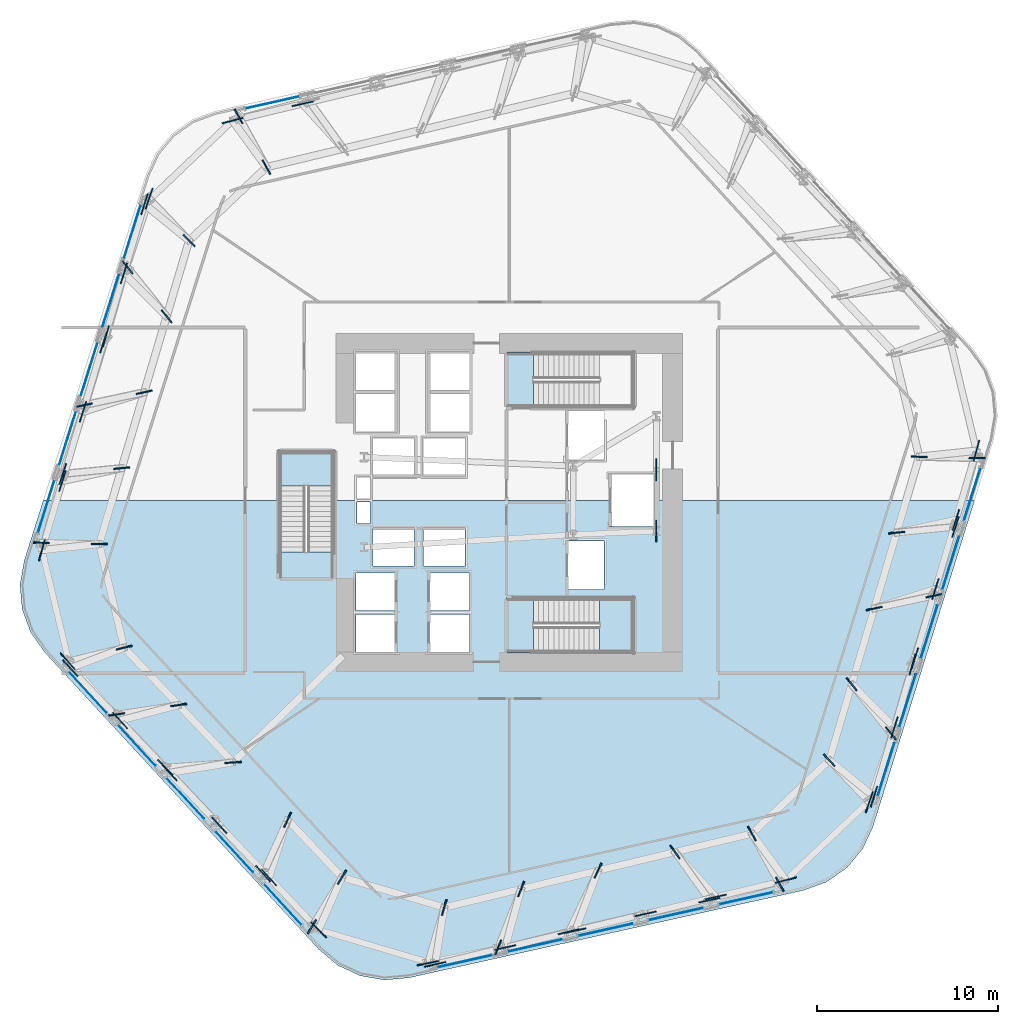
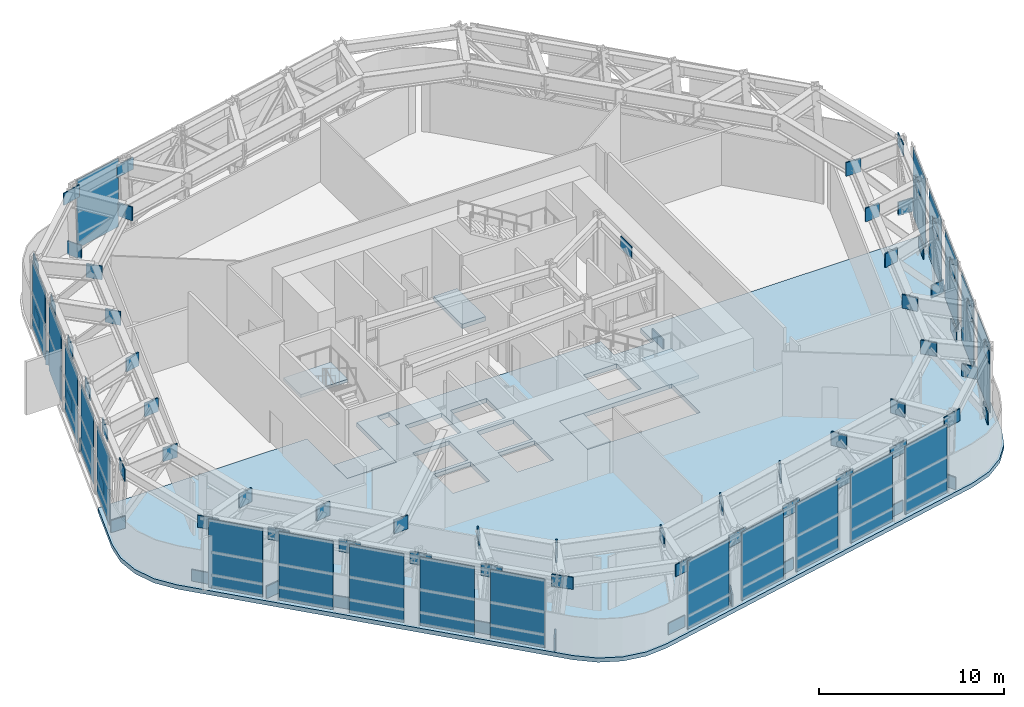
# One storey, part 7 of 16: 93 plates, 6 slabs, 7 elements without a shape of their own.
"""IFC4 building model written with IfcOpenShell, lengths in metres."""

from ifc_helpers import new_model, si_unit, direction, frame, origin, origin_2d, place, context, subcontext, project, spatial, polyline, rectangle, outline, extrude, material, layer, layer_set, type_object, element, aggregate, save


model = new_model("IFC4")

# Units and contexts
model_context = context("Model", 3, precision=1e-05, world=origin(), true_north=direction((0.0, 1.0)))
body_context = subcontext(model_context, "Body", "Model", "MODEL_VIEW")
ifc_project = project(units=[si_unit("LENGTHUNIT", "METRE"), si_unit("AREAUNIT", "SQUARE_METRE"), si_unit("VOLUMEUNIT", "CUBIC_METRE"), si_unit("PLANEANGLEUNIT", "RADIAN"), si_unit("MASSUNIT", "GRAM", prefix="KILO")], contexts=[model_context])

# Site, building, storey
site_placement = place(None, origin())
site = spatial("IfcSite", under=ifc_project, at=site_placement, CompositionType="ELEMENT")
building_placement = place(site_placement, origin())
building = spatial("IfcBuilding", under=site, at=building_placement, Name="Valkerne Bourse Tower", CompositionType="ELEMENT")
storey_placement = place(building_placement, frame((0.0, 0.0, 77.199951171875)))
storey = spatial("IfcBuildingStorey", under=building, at=storey_placement, Name="L19", CompositionType="ELEMENT", Elevation=77.199951171875)

# Curtain wall, plate
ifc_material_1 = material(Name="Aluminium AA 6063-T6", Category="aluminium")
ifc_layer_1 = layer(ifc_material_1, 0.25)
ifc_layer_set_1 = layer_set([ifc_layer_1], Name="Aluminium AA 6063-T6")
curtain_wall_type = type_object("IfcCurtainWallType", Name="CW-06", PredefinedType="NOTDEFINED", material=ifc_layer_set_1)
curtain_wall_1_placement = place(storey_placement, origin())
curtain_wall_1 = element("IfcCurtainWall", 1, at=curtain_wall_1_placement, inside=storey, type_object=curtain_wall_type, Name="L19 Hexagonal Stick Curtain Wall Face 2", PredefinedType="NOTDEFINED")
ifc_material_2 = material(Name="Bronze Anodised Aluminium AA 6063-T6", Category="aluminium")
ifc_layer_2 = layer(ifc_material_2, 0.0400390625)
ifc_layer_set_2 = layer_set([ifc_layer_2], Name="Bronze Anodised Aluminium AA 6063-T6")
plate_type_1 = type_object("IfcPlateType", Name="CW-PNL-LOUVRE-40", PredefinedType="CURTAIN_PANEL", material=ifc_layer_set_2)
plate_1_placement = place(storey_placement, frame((33.683837890625, 49.041748046875, 0.030029296875), z_axis=(0.0, 0.0, 1.0), x_axis=(-0.975917218933, -0.218141196913, 0.0)))
plate_1 = element("IfcPlate", 2, at=plate_1_placement, type_object=plate_type_1, Name="CW-L19-F2 Curtain Panel 04", PredefinedType="CURTAIN_PANEL", context=body_context, shape_type="SweptSolid", body=[
    extrude(rectangle(XDim=3.075927734375, YDim=0.0400390625, at=origin_2d()), origin(), (0.0, 0.0, 1.0), 4.52001953125),
])
aggregate(curtain_wall_1, [plate_1])

# Curtain wall, plates
curtain_wall_2_placement = place(storey_placement, origin())
curtain_wall_2 = element("IfcCurtainWall", 3, at=curtain_wall_2_placement, inside=storey, type_object=curtain_wall_type, Name="L19 Hexagonal Stick Curtain Wall Face 3", PredefinedType="NOTDEFINED")
plate_2_placement = place(storey_placement, frame((25.93310546875, 41.91455078125, 0.030029296875), z_axis=(0.0, 0.0, 1.0), x_axis=(-0.299021549829, -0.954246358514, 0.0)))
plate_2 = element("IfcPlate", 4, at=plate_2_placement, type_object=plate_type_1, Name="CW-L19-F3 Curtain Panel 00", PredefinedType="CURTAIN_PANEL", context=body_context, shape_type="SweptSolid", body=[
    extrude(rectangle(XDim=3.075927734375, YDim=0.0400390625, at=origin_2d()), origin(), (0.0, 0.0, 1.0), 4.52001953125),
])
plate_3_placement = place(storey_placement, frame((24.738037109375, 38.101318359375, 0.030029296875), z_axis=(0.0, 0.0, 1.0), x_axis=(-0.299051478001, -0.954236979741, 0.0)))
plate_3 = element("IfcPlate", 5, at=plate_3_placement, type_object=plate_type_1, Name="CW-L19-F3 Curtain Panel 01", PredefinedType="CURTAIN_PANEL", context=body_context, shape_type="SweptSolid", body=[
    extrude(rectangle(XDim=3.075927734375, YDim=0.0400390625, at=origin_2d()), origin(), (0.0, 0.0, 1.0), 4.52001953125),
])
plate_4_placement = place(storey_placement, frame((23.543212890625, 34.288330078125, 0.030029296875), z_axis=(0.0, 0.0, 1.0), x_axis=(-0.299044336827, -0.954239217708, 0.0)))
plate_4 = element("IfcPlate", 6, at=plate_4_placement, type_object=plate_type_1, Name="CW-L19-F3 Curtain Panel 02", PredefinedType="CURTAIN_PANEL", context=body_context, shape_type="SweptSolid", body=[
    extrude(rectangle(XDim=3.075927734375, YDim=0.0400390625, at=origin_2d()), origin(), (0.0, 0.0, 1.0), 4.52001953125),
])
plate_5_placement = place(storey_placement, frame((22.34814453125, 30.47509765625, 0.030029296875), z_axis=(0.0, 0.0, 1.0), x_axis=(-0.299028690574, -0.954244120869, 0.0)))
plate_5 = element("IfcPlate", 7, at=plate_5_placement, type_object=plate_type_1, Name="CW-L19-F3 Curtain Panel 03", PredefinedType="CURTAIN_PANEL", context=body_context, shape_type="SweptSolid", body=[
    extrude(rectangle(XDim=3.075927734375, YDim=0.0400390625, at=origin_2d()), origin(), (0.0, 0.0, 1.0), 4.52001953125),
])
plate_6_placement = place(storey_placement, frame((21.1533203125, 26.662109375, 0.030029296875), z_axis=(0.0, 0.0, 1.0), x_axis=(-0.299044336827, -0.954239217708, 0.0)))
plate_6 = element("IfcPlate", 8, at=plate_6_placement, type_object=plate_type_1, Name="CW-L19-F3 Curtain Panel 04", PredefinedType="CURTAIN_PANEL", context=body_context, shape_type="SweptSolid", body=[
    extrude(rectangle(XDim=3.075927734375, YDim=0.0400390625, at=origin_2d()), origin(), (0.0, 0.0, 1.0), 4.52001953125),
])
aggregate(curtain_wall_2, [plate_2, plate_3, plate_4, plate_5, plate_6])

curtain_wall_3_placement = place(storey_placement, origin())
curtain_wall_3 = element("IfcCurtainWall", 9, at=curtain_wall_3_placement, inside=storey, type_object=curtain_wall_type, Name="L19 Hexagonal Stick Curtain Wall Face 4", PredefinedType="NOTDEFINED")
plate_7_placement = place(storey_placement, frame((23.4501953125, 16.385986328125, 0.030029296875), z_axis=(0.0, 0.0, 1.0), x_axis=(0.676869473873, -0.73610306027, 0.0)))
plate_7 = element("IfcPlate", 10, at=plate_7_placement, type_object=plate_type_1, Name="CW-L19-F4 Curtain Panel 00", PredefinedType="CURTAIN_PANEL", context=body_context, shape_type="SweptSolid", body=[
    extrude(rectangle(XDim=3.075927734375, YDim=0.0400390625, at=origin_2d()), origin(), (0.0, 0.0, 1.0), 4.52001953125),
])
plate_8_placement = place(storey_placement, frame((26.15478515625, 13.4443359375, 0.030029296875), z_axis=(0.0, 0.0, 1.0), x_axis=(0.676881942481, -0.736091594805, 0.0)))
plate_8 = element("IfcPlate", 11, at=plate_8_placement, type_object=plate_type_1, Name="CW-L19-F4 Curtain Panel 01", PredefinedType="CURTAIN_PANEL", context=body_context, shape_type="SweptSolid", body=[
    extrude(rectangle(XDim=3.075927734375, YDim=0.0400390625, at=origin_2d()), origin(), (0.0, 0.0, 1.0), 4.52001953125),
])
plate_9_placement = place(storey_placement, frame((28.859619140625, 10.5029296875, 0.030029296875), z_axis=(0.0, 0.0, 1.0), x_axis=(0.676881942481, -0.736091594805, 0.0)))
plate_9 = element("IfcPlate", 12, at=plate_9_placement, type_object=plate_type_1, Name="CW-L19-F4 Curtain Panel 02", PredefinedType="CURTAIN_PANEL", context=body_context, shape_type="SweptSolid", body=[
    extrude(rectangle(XDim=3.075927734375, YDim=0.0400390625, at=origin_2d()), origin(), (0.0, 0.0, 1.0), 4.52001953125),
])
plate_10_placement = place(storey_placement, frame((31.564453125, 7.5615234375, 0.030029296875), z_axis=(0.0, 0.0, 1.0), x_axis=(0.676869473873, -0.73610306027, 0.0)))
plate_10 = element("IfcPlate", 13, at=plate_10_placement, type_object=plate_type_1, Name="CW-L19-F4 Curtain Panel 03", PredefinedType="CURTAIN_PANEL", context=body_context, shape_type="SweptSolid", body=[
    extrude(rectangle(XDim=3.075927734375, YDim=0.0400390625, at=origin_2d()), origin(), (0.0, 0.0, 1.0), 4.52001953125),
])
plate_11_placement = place(storey_placement, frame((34.269287109375, 4.6201171875, 0.030029296875), z_axis=(0.0, 0.0, 1.0), x_axis=(0.676881942481, -0.736091594805, 0.0)))
plate_11 = element("IfcPlate", 14, at=plate_11_placement, type_object=plate_type_1, Name="CW-L19-F4 Curtain Panel 04", PredefinedType="CURTAIN_PANEL", context=body_context, shape_type="SweptSolid", body=[
    extrude(rectangle(XDim=3.075927734375, YDim=0.0400390625, at=origin_2d()), origin(), (0.0, 0.0, 1.0), 4.52001953125),
])
aggregate(curtain_wall_3, [plate_7, plate_8, plate_9, plate_10, plate_11])

curtain_wall_4_placement = place(storey_placement, origin())
curtain_wall_4 = element("IfcCurtainWall", 15, at=curtain_wall_4_placement, inside=storey, type_object=curtain_wall_type, Name="L19 Hexagonal Stick Curtain Wall Face 5", PredefinedType="NOTDEFINED")
plate_12_placement = place(storey_placement, frame((44.317138671875, 1.471435546875, 0.030029296875), z_axis=(0.0, 0.0, 1.0), x_axis=(0.975916028069, 0.218146524516, 0.0)))
plate_12 = element("IfcPlate", 16, at=plate_12_placement, type_object=plate_type_1, Name="CW-L19-F5 Curtain Panel 00", PredefinedType="CURTAIN_PANEL", context=body_context, shape_type="SweptSolid", body=[
    extrude(rectangle(XDim=3.075927734375, YDim=0.0400390625, at=origin_2d()), origin(), (0.0, 0.0, 1.0), 4.52001953125),
])
plate_13_placement = place(storey_placement, frame((48.216796875, 2.343017578125, 0.030029296875), z_axis=(0.0, 0.0, 1.0), x_axis=(0.975917218933, 0.218141196913, 0.0)))
plate_13 = element("IfcPlate", 17, at=plate_13_placement, type_object=plate_type_1, Name="CW-L19-F5 Curtain Panel 01", PredefinedType="CURTAIN_PANEL", context=body_context, shape_type="SweptSolid", body=[
    extrude(rectangle(XDim=3.075927734375, YDim=0.0400390625, at=origin_2d()), origin(), (0.0, 0.0, 1.0), 4.52001953125),
])
plate_14_placement = place(storey_placement, frame((52.11669921875, 3.214599609375, 0.030029296875), z_axis=(0.0, 0.0, 1.0), x_axis=(0.975916028069, 0.218146524516, 0.0)))
plate_14 = element("IfcPlate", 18, at=plate_14_placement, type_object=plate_type_1, Name="CW-L19-F5 Curtain Panel 02", PredefinedType="CURTAIN_PANEL", context=body_context, shape_type="SweptSolid", body=[
    extrude(rectangle(XDim=3.075927734375, YDim=0.0400390625, at=origin_2d()), origin(), (0.0, 0.0, 1.0), 4.52001953125),
])
plate_15_placement = place(storey_placement, frame((56.016357421875, 4.08642578125, 0.030029296875), z_axis=(0.0, 0.0, 1.0), x_axis=(0.975917218933, 0.218141196913, 0.0)))
plate_15 = element("IfcPlate", 19, at=plate_15_placement, type_object=plate_type_1, Name="CW-L19-F5 Curtain Panel 03", PredefinedType="CURTAIN_PANEL", context=body_context, shape_type="SweptSolid", body=[
    extrude(rectangle(XDim=3.075927734375, YDim=0.0400390625, at=origin_2d()), origin(), (0.0, 0.0, 1.0), 4.52001953125),
])
plate_16_placement = place(storey_placement, frame((59.916259765625, 4.9580078125, 0.030029296875), z_axis=(0.0, 0.0, 1.0), x_axis=(0.975917218933, 0.218141196913, 0.0)))
plate_16 = element("IfcPlate", 20, at=plate_16_placement, type_object=plate_type_1, Name="CW-L19-F5 Curtain Panel 04", PredefinedType="CURTAIN_PANEL", context=body_context, shape_type="SweptSolid", body=[
    extrude(rectangle(XDim=3.075927734375, YDim=0.0400390625, at=origin_2d()), origin(), (0.0, 0.0, 1.0), 4.52001953125),
])
aggregate(curtain_wall_4, [plate_12, plate_13, plate_14, plate_15, plate_16])

curtain_wall_5_placement = place(storey_placement, origin())
curtain_wall_5 = element("IfcCurtainWall", 21, at=curtain_wall_5_placement, inside=storey, type_object=curtain_wall_type, Name="L19 Hexagonal Stick Curtain Wall Face 6", PredefinedType="NOTDEFINED")
plate_17_placement = place(storey_placement, frame((67.6669921875, 12.08544921875, 0.030029296875), z_axis=(0.0, 0.0, 1.0), x_axis=(0.299021549829, 0.954246358514, 0.0)))
plate_17 = element("IfcPlate", 22, at=plate_17_placement, type_object=plate_type_1, Name="CW-L19-F6 Curtain Panel 00", PredefinedType="CURTAIN_PANEL", context=body_context, shape_type="SweptSolid", body=[
    extrude(rectangle(XDim=3.075927734375, YDim=0.0400390625, at=origin_2d()), origin(), (0.0, 0.0, 1.0), 4.52001953125),
])
plate_18_placement = place(storey_placement, frame((68.86181640625, 15.898681640625, 0.030029296875), z_axis=(0.0, 0.0, 1.0), x_axis=(0.299051478001, 0.954236979741, 0.0)))
plate_18 = element("IfcPlate", 23, at=plate_18_placement, type_object=plate_type_1, Name="CW-L19-F6 Curtain Panel 01", PredefinedType="CURTAIN_PANEL", context=body_context, shape_type="SweptSolid", body=[
    extrude(rectangle(XDim=3.075927734375, YDim=0.0400390625, at=origin_2d()), origin(), (0.0, 0.0, 1.0), 4.52001953125),
])
plate_19_placement = place(storey_placement, frame((70.056884765625, 19.711669921875, 0.030029296875), z_axis=(0.0, 0.0, 1.0), x_axis=(0.299044336827, 0.954239217708, 0.0)))
plate_19 = element("IfcPlate", 24, at=plate_19_placement, type_object=plate_type_1, Name="CW-L19-F6 Curtain Panel 02", PredefinedType="CURTAIN_PANEL", context=body_context, shape_type="SweptSolid", body=[
    extrude(rectangle(XDim=3.075927734375, YDim=0.0400390625, at=origin_2d()), origin(), (0.0, 0.0, 1.0), 4.52001953125),
])
plate_20_placement = place(storey_placement, frame((71.251953125, 23.52490234375, 0.030029296875), z_axis=(0.0, 0.0, 1.0), x_axis=(0.299028690574, 0.954244120869, 0.0)))
plate_20 = element("IfcPlate", 25, at=plate_20_placement, type_object=plate_type_1, Name="CW-L19-F6 Curtain Panel 03", PredefinedType="CURTAIN_PANEL", context=body_context, shape_type="SweptSolid", body=[
    extrude(rectangle(XDim=3.075927734375, YDim=0.0400390625, at=origin_2d()), origin(), (0.0, 0.0, 1.0), 4.52001953125),
])
plate_21_placement = place(storey_placement, frame((72.44677734375, 27.337890625, 0.030029296875), z_axis=(0.0, 0.0, 1.0), x_axis=(0.299044336827, 0.954239217708, 0.0)))
plate_21 = element("IfcPlate", 26, at=plate_21_placement, type_object=plate_type_1, Name="CW-L19-F6 Curtain Panel 04", PredefinedType="CURTAIN_PANEL", context=body_context, shape_type="SweptSolid", body=[
    extrude(rectangle(XDim=3.075927734375, YDim=0.0400390625, at=origin_2d()), origin(), (0.0, 0.0, 1.0), 4.52001953125),
])
aggregate(curtain_wall_5, [plate_17, plate_18, plate_19, plate_20, plate_21])

# Plates
ifc_material_3 = material(Name="Steel ASTM A572 Grade 50", Category="steel")
ifc_layer_3 = layer(ifc_material_3, 0.06005859375)
ifc_layer_set_3 = layer_set([ifc_layer_3], Name="Steel ASTM A572 Grade 50")
plate_type_2 = type_object("IfcPlateType", Name="PLT-GUS-60", PredefinedType="SHEET", material=ifc_layer_set_3)
for number, where, z_axis, x_axis, name in (
    (27, (35.361328125, 48.968994140625, 3.72998046875), (0.0, 0.0, 1.0), (-0.975916761939, -0.218143241397, 0.0), "L19 Belt Truss Gusset Plate GP-020"),
    (28, (26.5947265625, 43.404052734375, 3.72998046875), (0.0, 0.0, 1.0), (-0.299040792256, -0.954240328516, 0.0), "L19 Belt Truss Gusset Plate GP-021"),
    (29, (25.459716796875, 39.57275390625, 3.72998046875), (0.0, 0.0, 1.0), (-0.299040792256, -0.954240328516, 0.0), "L19 Belt Truss Gusset Plate GP-022"),
    (30, (24.324951171875, 35.7412109375, 3.72998046875), (0.0, 0.0, 1.0), (-0.299040792256, -0.954240328516, 0.0), "L19 Belt Truss Gusset Plate GP-023"),
    (31, (23.18994140625, 31.909912109375, 3.72998046875), (0.0, 0.0, 1.0), (-0.299040792256, -0.954240328516, 0.0), "L19 Belt Truss Gusset Plate GP-024"),
    (32, (22.05517578125, 28.078369140625, 3.72998046875), (0.0, 0.0, 1.0), (-0.299040792256, -0.954240328516, 0.0), "L19 Belt Truss Gusset Plate GP-025"),
    (33, (22.490966796875, 17.703857421875, 3.72998046875), (0.0, 0.0, 1.0), (0.676875969683, -0.73609708712, 0.0), "L19 Belt Truss Gusset Plate GP-026"),
    (34, (25.24169921875, 14.80517578125, 3.72998046875), (0.0, 0.0, 1.0), (0.676875969683, -0.73609708712, 0.0), "L19 Belt Truss Gusset Plate GP-027"),
    (35, (27.9921875, 11.906494140625, 3.72998046875), (0.0, 0.0, 1.0), (0.676875969683, -0.73609708712, 0.0), "L19 Belt Truss Gusset Plate GP-028"),
    (36, (30.742919921875, 9.008056640625, 3.72998046875), (0.0, 0.0, 1.0), (0.676875969683, -0.73609708712, 0.0), "L19 Belt Truss Gusset Plate GP-029"),
    (37, (33.49365234375, 6.109375, 3.72998046875), (0.0, 0.0, 1.0), (0.676875969683, -0.73609708712, 0.0), "L19 Belt Truss Gusset Plate GP-030"),
    (38, (42.6962890625, 1.2998046875, 3.72998046875), (0.0, 0.0, 1.0), (0.975916761939, 0.218143241397, 0.0), "L19 Belt Truss Gusset Plate GP-031"),
    (39, (46.581787109375, 2.232421875, 3.72998046875), (0.0, 0.0, 1.0), (0.975916761939, 0.218143241397, 0.0), "L19 Belt Truss Gusset Plate GP-032"),
    (40, (50.46728515625, 3.165283203125, 3.72998046875), (0.0, 0.0, 1.0), (0.975916761939, 0.218143241397, 0.0), "L19 Belt Truss Gusset Plate GP-033"),
    (41, (54.35302734375, 4.09814453125, 3.72998046875), (0.0, 0.0, 1.0), (0.975916761939, 0.218143241397, 0.0), "L19 Belt Truss Gusset Plate GP-034"),
    (42, (58.238525390625, 5.031005859375, 3.72998046875), (0.0, 0.0, 1.0), (0.975916761939, 0.218143241397, 0.0), "L19 Belt Truss Gusset Plate GP-035"),
    (43, (67.005126953125, 10.595947265625, 3.72998046875), (0.0, 0.0, 1.0), (0.299040792256, 0.954240328516, 0.0), "L19 Belt Truss Gusset Plate GP-036"),
    (44, (68.14013671875, 14.42724609375, 3.72998046875), (0.0, 0.0, 1.0), (0.299040792256, 0.954240328516, 0.0), "L19 Belt Truss Gusset Plate GP-037"),
    (45, (69.275146484375, 18.2587890625, 3.72998046875), (0.0, 0.0, 1.0), (0.299040792256, 0.954240328516, 0.0), "L19 Belt Truss Gusset Plate GP-038"),
    (46, (70.409912109375, 22.090087890625, 3.72998046875), (0.0, 0.0, 1.0), (0.299040792256, 0.954240328516, 0.0), "L19 Belt Truss Gusset Plate GP-039"),
    (47, (71.544921875, 25.921630859375, 3.72998046875), (0.0, 0.0, 1.0), (0.299040792256, 0.954240328516, 0.0), "L19 Belt Truss Gusset Plate GP-040"),
    (48, (31.475830078125, 48.0361328125, 3.830078125), (0.0, 0.0, 1.0), (-0.96731202716, -0.25358912065, 0.0), "L19 Brace Node Gusset Plate PLT-GUS-END-L19-106"),
    (49, (26.85498046875, 43.719482421875, -0.0498046875), (0.0, 0.0, 1.0), (-0.318793887648, -0.947824064475, 0.0), "L19 Brace Node Gusset Plate PLT-GUS-END-L19-107"),
    (50, (24.465087890625, 36.09326171875, -0.0498046875), (0.0, 0.0, 1.0), (0.274966201438, 0.961453892845, 0.0), "L19 Brace Node Gusset Plate PLT-GUS-END-L19-108"),
    (51, (22.0751953125, 28.466796875, -0.0498046875), (0.0, 0.0, 1.0), (0.308020881065, 0.951379596601, 0.0), "L19 Brace Node Gusset Plate PLT-GUS-END-L19-109"),
    (52, (20.920166015625, 24.246826171875, 3.830078125), (0.0, 0.0, 1.0), (-0.264041392973, -0.964511349232, 0.0), "L19 Brace Node Gusset Plate PLT-GUS-END-L19-110"),
    (53, (22.347900390625, 18.0869140625, -0.0498046875), (0.0, 0.0, 1.0), (0.66144277433, -0.749995637512, 0.0), "L19 Brace Node Gusset Plate PLT-GUS-END-L19-111"),
    (54, (27.757568359375, 12.203857421875, -0.0498046875), (0.0, 0.0, 1.0), (-0.695160395052, 0.71885466205, 0.0), "L19 Brace Node Gusset Plate PLT-GUS-END-L19-112"),
    (55, (33.167236328125, 6.321044921875, -0.0498046875), (0.0, 0.0, 1.0), (-0.669908458766, 0.742443706198, 0.0), "L19 Brace Node Gusset Plate PLT-GUS-END-L19-113"),
    (56, (36.244384765625, 3.210693359375, 3.830078125), (0.0, 0.0, 1.0), (0.703270634186, -0.710922228581, 0.0), "L19 Brace Node Gusset Plate PLT-GUS-END-L19-114"),
    (57, (42.293212890625, 1.3671875, -0.0498046875), (0.0, 0.0, 1.0), (0.980236661978, 0.197828426963, 0.0), "L19 Brace Node Gusset Plate PLT-GUS-END-L19-115"),
    (58, (50.092529296875, 3.110595703125, -0.0498046875), (0.0, 0.0, 1.0), (-0.97012659649, -0.242599230795, 0.0), "L19 Brace Node Gusset Plate PLT-GUS-END-L19-116"),
    (59, (57.89208984375, 4.85400390625, -0.0498046875), (0.0, 0.0, 1.0), (-0.977929339831, -0.208935890402, 0.0), "L19 Brace Node Gusset Plate PLT-GUS-END-L19-117"),
    (60, (62.124267578125, 5.9638671875, 3.830078125), (0.0, 0.0, 1.0), (0.96731202716, 0.25358912065, 0.0), "L19 Brace Node Gusset Plate PLT-GUS-END-L19-118"),
    (61, (66.7451171875, 10.280517578125, -0.0498046875), (0.0, 0.0, 1.0), (0.318793887648, 0.947824064475, 0.0), "L19 Brace Node Gusset Plate PLT-GUS-END-L19-119"),
    (62, (69.135009765625, 17.90673828125, -0.0498046875), (0.0, 0.0, 1.0), (-0.274966201438, -0.961453892845, 0.0), "L19 Brace Node Gusset Plate PLT-GUS-END-L19-120"),
    (63, (71.52490234375, 25.533203125, -0.0498046875), (0.0, 0.0, 1.0), (-0.308020881065, -0.951379596601, 0.0), "L19 Brace Node Gusset Plate PLT-GUS-END-L19-121"),
    (64, (72.679931640625, 29.753173828125, 3.830078125), (0.0, 0.0, 1.0), (0.264041392973, 0.964511349232, 0.0), "L19 Brace Node Gusset Plate PLT-GUS-END-L19-122"),
    (65, (54.949951171875, 25.300048828125, -0.18017578125), (0.0, 0.0, 1.0), (0.0, 1.0, 0.0), "L19 Brace Node Gusset Plate PLT-GUS-END-L19-354"),
    (66, (54.949951171875, 28.699951171875, 3.8740234375), (0.0, 0.0, 1.0), (0.0, 1.0, 0.0), "L19 Brace Node Gusset Plate PLT-GUS-END-L19-355"),
):
    element("IfcPlate", number, at=place(storey_placement, frame(where, z_axis=z_axis, x_axis=x_axis)), inside=storey, type_object=plate_type_2, Name=name, PredefinedType="SHEET", context=body_context, shape_type="SweptSolid", body=[
        extrude(rectangle(XDim=1.199951171875, YDim=0.06005859375, at=origin_2d()), origin(), (0.0, 0.0, 1.0), 0.800048828125),
    ])
ifc_layer_4 = layer(ifc_material_3, 0.080078125)
ifc_layer_set_4 = layer_set([ifc_layer_4], Name="Steel ASTM A572 Grade 50")
plate_type_3 = type_object("IfcPlateType", Name="PLT-GUS-80", PredefinedType="SHEET", material=ifc_layer_set_4)
for number, where, z_axis, x_axis, name in (
    (67, (31.80810546875, 48.274169921875, -0.099853515625), (0.0, 0.0, 1.0), (0.481141779278, -0.876642793978, 0.0), "L19 Brace Node Gusset Plate PLT-GUS-END-L19-135"),
    (68, (33.353515625, 45.458740234375, 3.5966796875), (0.0, 0.0, 1.0), (0.481141779278, -0.876642793978, 0.0), "L19 Brace Node Gusset Plate PLT-GUS-END-L19-136"),
    (69, (29.0703125, 41.394287109375, 3.5966796875), (0.0, 0.0, 1.0), (0.689745925065, -0.724051489092, 0.0), "L19 Brace Node Gusset Plate PLT-GUS-END-L19-137"),
    (70, (25.659912109375, 39.90625, -0.099853515625), (0.0, 0.0, 1.0), (0.623606756598, -0.781738199863, 0.0), "L19 Brace Node Gusset Plate PLT-GUS-END-L19-138"),
    (71, (27.825439453125, 37.191650390625, 3.5966796875), (0.0, 0.0, 1.0), (0.623606756598, -0.781738199863, 0.0), "L19 Brace Node Gusset Plate PLT-GUS-END-L19-139"),
    (72, (23.27001953125, 32.280029296875, -0.099853515625), (0.0, 0.0, 1.0), (0.977819807207, 0.209447904343, 0.0), "L19 Brace Node Gusset Plate PLT-GUS-END-L19-140"),
    (73, (26.580810546875, 32.9892578125, 3.5966796875), (0.0, 0.0, 1.0), (0.977819807207, 0.209447904343, 0.0), "L19 Brace Node Gusset Plate PLT-GUS-END-L19-141"),
    (74, (25.335693359375, 28.78662109375, 3.5966796875), (0.0, 0.0, 1.0), (0.995227399982, 0.097582899759, 0.0), "L19 Brace Node Gusset Plate PLT-GUS-END-L19-142"),
    (75, (20.880126953125, 24.65380859375, -0.099853515625), (0.0, 0.0, 1.0), (0.999765819268, -0.021640393312, 0.0), "L19 Brace Node Gusset Plate PLT-GUS-END-L19-143"),
    (76, (24.091064453125, 24.584228515625, 3.5966796875), (0.0, 0.0, 1.0), (0.999765819268, -0.021640393312, 0.0), "L19 Brace Node Gusset Plate PLT-GUS-END-L19-144"),
    (77, (25.469482421875, 18.8427734375, 3.5966796875), (0.0, 0.0, 1.0), (0.971919945734, 0.235311748717, 0.0), "L19 Brace Node Gusset Plate PLT-GUS-END-L19-145"),
    (78, (25.052734375, 15.145263671875, -0.099853515625), (0.0, 0.0, 1.0), (0.988808518489, 0.149190193254, 0.0), "L19 Brace Node Gusset Plate PLT-GUS-END-L19-146"),
    (79, (28.486572265625, 15.66357421875, 3.5966796875), (0.0, 0.0, 1.0), (0.988808518489, 0.149190193254, 0.0), "L19 Brace Node Gusset Plate PLT-GUS-END-L19-147"),
    (80, (31.50341796875, 12.484130859375, 3.5966796875), (0.0, 0.0, 1.0), (0.997211245286, 0.074630638989, 0.0), "L19 Brace Node Gusset Plate PLT-GUS-END-L19-148"),
    (81, (34.5205078125, 9.304931640625, 3.5966796875), (0.0, 0.0, 1.0), (0.413104429825, 0.910683660806, 0.0), "L19 Brace Node Gusset Plate PLT-GUS-END-L19-149"),
    (82, (35.8720703125, 3.379638671875, -0.099853515625), (0.0, 0.0, 1.0), (0.51862403999, 0.855002400666, 0.0), "L19 Brace Node Gusset Plate PLT-GUS-END-L19-150"),
    (83, (37.53759765625, 6.12548828125, 3.5966796875), (0.0, 0.0, 1.0), (0.51862403999, 0.855002400666, 0.0), "L19 Brace Node Gusset Plate PLT-GUS-END-L19-151"),
    (84, (43.198974609375, 4.448486328125, 3.5966796875), (0.0, 0.0, 1.0), (0.2820065759, 0.959412471854, 0.0), "L19 Brace Node Gusset Plate PLT-GUS-END-L19-152"),
    (85, (46.19287109375, 2.239013671875, -0.099853515625), (0.0, 0.0, 1.0), (0.365201761892, 0.930928393117, 0.0), "L19 Brace Node Gusset Plate PLT-GUS-END-L19-153"),
    (86, (47.4609375, 5.4716796875, 3.5966796875), (0.0, 0.0, 1.0), (0.365201761892, 0.930928393117, 0.0), "L19 Brace Node Gusset Plate PLT-GUS-END-L19-154"),
    (87, (51.722900390625, 6.494873046875, 3.5966796875), (0.0, 0.0, 1.0), (0.433973593378, 0.900925590851, 0.0), "L19 Brace Node Gusset Plate PLT-GUS-END-L19-155"),
    (88, (55.984619140625, 7.51806640625, 3.5966796875), (0.0, 0.0, 1.0), (-0.582122970157, 0.813100761047, 0.0), "L19 Brace Node Gusset Plate PLT-GUS-END-L19-156"),
    (89, (61.7919921875, 5.725830078125, -0.099853515625), (0.0, 0.0, 1.0), (-0.481141779278, 0.876642793978, 0.0), "L19 Brace Node Gusset Plate PLT-GUS-END-L19-157"),
    (90, (60.24658203125, 8.541259765625, 3.5966796875), (0.0, 0.0, 1.0), (-0.481141779278, 0.876642793978, 0.0), "L19 Brace Node Gusset Plate PLT-GUS-END-L19-158"),
    (91, (64.529541015625, 12.605712890625, 3.5966796875), (0.0, 0.0, 1.0), (-0.689745925065, 0.724051489092, 0.0), "L19 Brace Node Gusset Plate PLT-GUS-END-L19-159"),
    (92, (67.93994140625, 14.09375, -0.099853515625), (0.0, 0.0, 1.0), (-0.623606756598, 0.781738199863, 0.0), "L19 Brace Node Gusset Plate PLT-GUS-END-L19-160"),
    (93, (65.7744140625, 16.808349609375, 3.5966796875), (0.0, 0.0, 1.0), (-0.623606756598, 0.781738199863, 0.0), "L19 Brace Node Gusset Plate PLT-GUS-END-L19-161"),
    (94, (70.330078125, 21.719970703125, -0.099853515625), (0.0, 0.0, 1.0), (-0.977819807207, -0.209447904343, 0.0), "L19 Brace Node Gusset Plate PLT-GUS-END-L19-162"),
    (95, (67.019287109375, 21.0107421875, 3.5966796875), (0.0, 0.0, 1.0), (-0.977819807207, -0.209447904343, 0.0), "L19 Brace Node Gusset Plate PLT-GUS-END-L19-163"),
    (96, (68.26416015625, 25.21337890625, 3.5966796875), (0.0, 0.0, 1.0), (-0.995227399982, -0.097582899759, 0.0), "L19 Brace Node Gusset Plate PLT-GUS-END-L19-164"),
    (97, (72.719970703125, 29.34619140625, -0.099853515625), (0.0, 0.0, 1.0), (-0.999765819268, 0.021640393312, 0.0), "L19 Brace Node Gusset Plate PLT-GUS-END-L19-165"),
    (98, (69.509033203125, 29.415771484375, 3.5966796875), (0.0, 0.0, 1.0), (-0.999765819268, 0.021640393312, 0.0), "L19 Brace Node Gusset Plate PLT-GUS-END-L19-166"),
):
    element("IfcPlate", number, at=place(storey_placement, frame(where, z_axis=z_axis, x_axis=x_axis)), inside=storey, type_object=plate_type_3, Name=name, PredefinedType="SHEET", context=body_context, shape_type="SweptSolid", body=[
        extrude(rectangle(XDim=0.89990234375, YDim=0.080078125, at=origin_2d()), origin(), (0.0, 0.0, 1.0), 0.89990234375),
    ])

# Slabs
ifc_material_4 = material(Name="Concrete C40/50", Category="concrete")
ifc_layer_5 = layer(ifc_material_4, 0.280029296875)
ifc_layer_set_5 = layer_set([ifc_layer_5], Name="Concrete C40/50")
slab_type_1 = type_object("IfcSlabType", Name="SLB-PLT-280", PredefinedType="FLOOR", material=ifc_layer_set_5)
slab_1_placement = place(storey_placement, frame((0.0, 0.0, -0.280029296875)))
element("IfcSlab", 99, at=slab_1_placement, inside=storey, type_object=slab_type_1, Name="L19 Hexagonal Composite Floor Slab S", PredefinedType="FLOOR", context=body_context, shape_type="SweptSolid", body=[
    extrude(outline(polyline([(66.381103515625, 7.694091796875), (65.510498046875, 6.652587890625), (64.39990234375, 5.8720703125), (63.125, 5.405517578125), (41.2373046875, 0.554443359375), (39.885009765625, 0.433837890625), (38.5478515625, 0.667236328125), (37.31640625, 1.23876953125), (36.275146484375, 2.109619140625), (21.070556640625, 18.584716796875), (20.2900390625, 19.6953125), (19.823486328125, 20.969970703125), (19.702880859375, 22.322021484375), (19.936279296875, 23.659423828125), (20.98974609375, 27.0), (34.034912109375, 27.0), (34.034912109375, 22.6650390625), (37.114990234375, 22.6650390625), (37.114990234375, 27.0), (52.360107421875, 27.0), (52.360107421875, 25.56005859375), (54.840087890625, 25.56005859375), (54.840087890625, 27.0), (72.5810546875, 27.0), (66.95263671875, 8.92529296875), (66.381103515625, 7.694091796875)]), holes=[polyline([(40.590087890625, 20.68994140625), (38.31005859375, 20.68994140625), (38.31005859375, 18.610107421875), (40.590087890625, 18.610107421875), (40.590087890625, 20.68994140625)]), polyline([(40.590087890625, 22.989990234375), (38.31005859375, 22.989990234375), (38.31005859375, 20.909912109375), (40.590087890625, 20.909912109375), (40.590087890625, 22.989990234375)]), polyline([(41.5400390625, 25.43994140625), (39.260009765625, 25.43994140625), (39.260009765625, 23.360107421875), (41.5400390625, 23.360107421875), (41.5400390625, 25.43994140625)]), polyline([(39.10009765625, 25.72998046875), (39.10009765625, 26.89990234375), (38.3798828125, 26.89990234375), (38.3798828125, 25.72998046875), (39.10009765625, 25.72998046875)]), polyline([(44.590087890625, 20.68994140625), (42.31005859375, 20.68994140625), (42.31005859375, 18.610107421875), (44.590087890625, 18.610107421875), (44.590087890625, 20.68994140625)]), polyline([(53.675048828125, 21.614990234375), (46.6650390625, 21.614990234375), (46.6650390625, 18.534912109375), (53.675048828125, 18.534912109375), (53.675048828125, 21.614990234375)]), polyline([(44.590087890625, 22.989990234375), (42.31005859375, 22.989990234375), (42.31005859375, 20.909912109375), (44.590087890625, 20.909912109375), (44.590087890625, 22.989990234375)]), polyline([(52.0400390625, 22.06005859375), (52.0400390625, 24.739990234375), (49.9599609375, 24.739990234375), (49.9599609375, 22.06005859375), (52.0400390625, 22.06005859375)]), polyline([(44.340087890625, 23.360107421875), (44.340087890625, 25.43994140625), (42.06005859375, 25.43994140625), (42.06005859375, 23.360107421875), (44.340087890625, 23.360107421875)])]), origin(), (0.0, 0.0, 1.0), 0.280029296875),
])
ifc_layer_6 = layer(ifc_material_4, 0.25)
ifc_layer_set_6 = layer_set([ifc_layer_6], Name="Concrete C40/50")
slab_type_2 = type_object("IfcSlabType", Name="SLB-RMP-LND-250", PredefinedType="LANDING", material=ifc_layer_set_6)
slab_2_placement = place(storey_placement, frame((0.0, 0.0, -0.280029296875)))
element("IfcSlab", 100, at=slab_2_placement, inside=storey, type_object=slab_type_2, Name="L19 ST-1 Floor Landing Slab", PredefinedType="LANDING", context=body_context, shape_type="SweptSolid", body=[
    extrude(outline(polyline([(46.669921875, 18.5400390625), (48.14990234375, 18.5400390625), (48.14990234375, 21.610107421875), (46.669921875, 21.610107421875), (46.669921875, 18.5400390625)])), origin(), (0.0, 0.0, 1.0), 0.280029296875),
])
slab_3_placement = place(storey_placement, frame((0.0, 0.0, -0.280029296875)))
element("IfcSlab", 101, at=slab_3_placement, inside=storey, type_object=slab_type_2, Name="L19 ST-2 Floor Landing Slab", PredefinedType="LANDING", context=body_context, shape_type="SweptSolid", body=[
    extrude(outline(polyline([(46.669921875, 32.139892578125), (48.14990234375, 32.139892578125), (48.14990234375, 35.2099609375), (46.669921875, 35.2099609375), (46.669921875, 32.139892578125)])), origin(), (0.0, 0.0, 1.0), 0.280029296875),
])
slab_4_placement = place(storey_placement, frame((0.0, 0.0, -0.280029296875)))
element("IfcSlab", 102, at=slab_4_placement, inside=storey, type_object=slab_type_2, Name="L19 ST-3 Floor Landing Slab", PredefinedType="LANDING", context=body_context, shape_type="SweptSolid", body=[
    extrude(outline(polyline([(37.110107421875, 22.669921875), (37.110107421875, 24.14990234375), (34.0400390625, 24.14990234375), (34.0400390625, 22.669921875), (37.110107421875, 22.669921875)])), origin(), (0.0, 0.0, 1.0), 0.280029296875),
])

# Stair, slab
stair_type = type_object("IfcStairType", Name="ST-CORE-1400", PredefinedType="HALF_TURN_STAIR", material=ifc_material_4)
stair_1_placement = place(storey_placement, origin())
stair_1 = element("IfcStair", 103, at=stair_1_placement, inside=storey, type_object=stair_type, Name="L19 ST-1", PredefinedType="HALF_TURN_STAIR")
ifc_layer_7 = layer(ifc_material_4, 0.179931640625)
ifc_layer_set_7 = layer_set([ifc_layer_7], Name="Concrete C40/50")
slab_type_3 = type_object("IfcSlabType", Name="SLB-ST-LND-180", PredefinedType="LANDING", material=ifc_layer_set_7)
slab_5_placement = place(storey_placement, frame((0.0, 0.0, 2.199951171875)))
slab_5 = element("IfcSlab", 104, at=slab_5_placement, type_object=slab_type_3, Name="ST-1 landing 1", PredefinedType="LANDING", context=body_context, shape_type="SweptSolid", body=[
    extrude(outline(polyline([(51.7900390625, 18.60009765625), (53.64990234375, 18.60009765625), (53.64990234375, 21.550048828125), (51.7900390625, 21.550048828125), (51.7900390625, 18.60009765625)])), origin(), (0.0, 0.0, 1.0), 0.2001953125),
])
aggregate(stair_1, [slab_5])

stair_2_placement = place(storey_placement, origin())
stair_2 = element("IfcStair", 105, at=stair_2_placement, inside=storey, type_object=stair_type, Name="L19 ST-3", PredefinedType="HALF_TURN_STAIR")
slab_6_placement = place(storey_placement, frame((0.0, 0.0, 2.199951171875)))
slab_6 = element("IfcSlab", 106, at=slab_6_placement, type_object=slab_type_3, Name="ST-3 landing 1", PredefinedType="LANDING", context=body_context, shape_type="SweptSolid", body=[
    extrude(outline(polyline([(37.050048828125, 27.7900390625), (37.050048828125, 29.64990234375), (34.10009765625, 29.64990234375), (34.10009765625, 27.7900390625), (37.050048828125, 27.7900390625)])), origin(), (0.0, 0.0, 1.0), 0.2001953125),
])
aggregate(stair_2, [slab_6])

save(model, "model.ifc")
